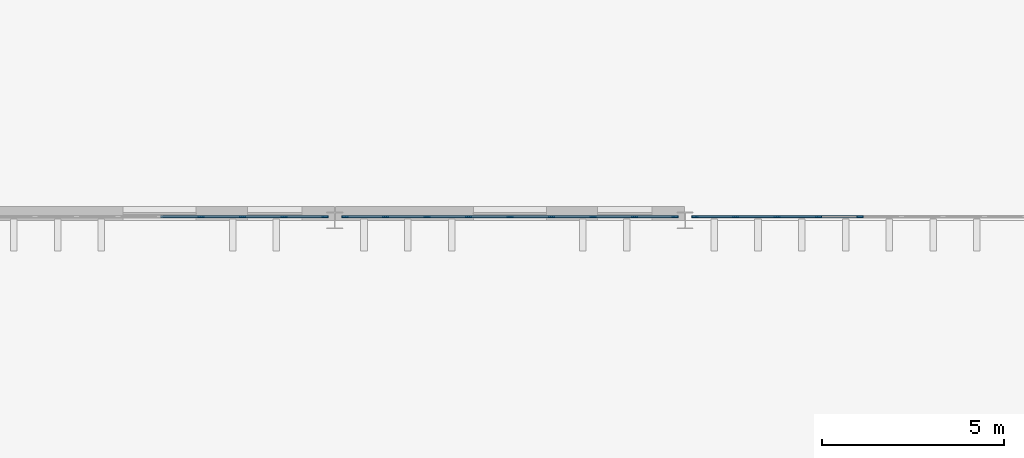
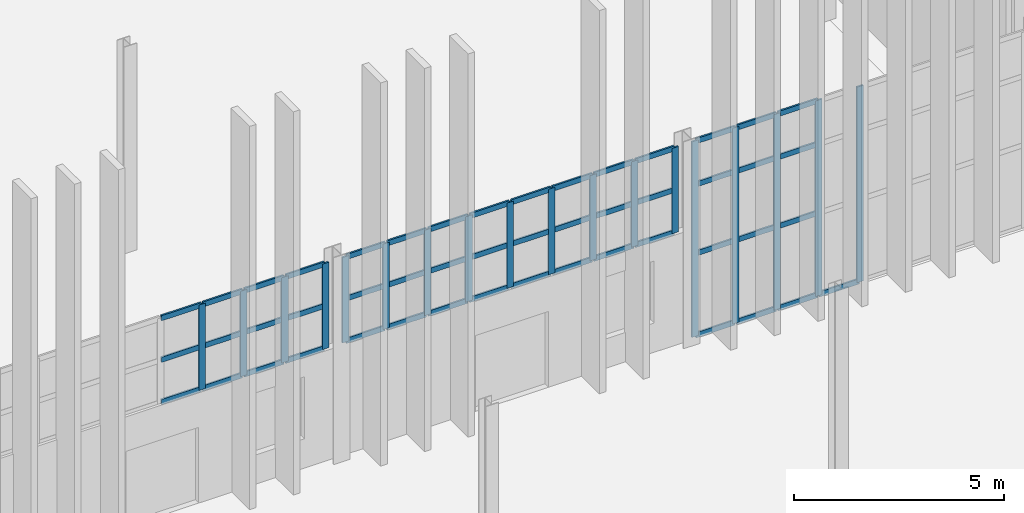
# One storey, part 35 of 139: 67 members, 3 elements without a shape of their own.
"""IFC4 building model written with IfcOpenShell, lengths in metres."""

from ifc_helpers import new_model, si_unit, direction, frame, origin, origin_2d, place, context, subcontext, project, spatial, rectangle, extrude, material, layer, layer_set, material_profile, profile_set, type_object, element, aggregate, save


model = new_model("IFC4")

# Units and contexts
model_context = context("Model", 3, precision=1e-05, world=origin(), true_north=direction((0.0, 1.0)))
body_context = subcontext(model_context, "Body", "Model", "MODEL_VIEW")
ifc_project = project(units=[si_unit("LENGTHUNIT", "METRE"), si_unit("AREAUNIT", "SQUARE_METRE"), si_unit("VOLUMEUNIT", "CUBIC_METRE"), si_unit("PLANEANGLEUNIT", "RADIAN"), si_unit("MASSUNIT", "GRAM", prefix="KILO")], contexts=[model_context])

# Site, building, storey
site_placement = place(None, origin())
site = spatial("IfcSite", under=ifc_project, at=site_placement, CompositionType="ELEMENT")
building_placement = place(site_placement, origin())
building = spatial("IfcBuilding", under=site, at=building_placement, Name="Yeouljin Market Hall", CompositionType="ELEMENT")
storey_placement = place(building_placement, origin())
storey = spatial("IfcBuildingStorey", under=building, at=storey_placement, Name="L00", CompositionType="ELEMENT", Elevation=0.0)

# Curtain wall, members
ifc_material_1 = material(Name="Thermally Broken Aluminium", Category="aluminium")
ifc_layer = layer(ifc_material_1, 0.179931640625)
ifc_layer_set = layer_set([ifc_layer], Name="Thermally Broken Aluminium")
curtain_wall_type = type_object("IfcCurtainWallType", Name="CW_HallNave_System", PredefinedType="USERDEFINED", material=ifc_layer_set)
curtain_wall_1_placement = place(storey_placement, origin())
curtain_wall_1 = element("IfcCurtainWall", 1, at=curtain_wall_1_placement, inside=storey, type_object=curtain_wall_type, Name="Curtain wall CW-V1S-L00-03", ObjectType="CURTAIN WALL", PredefinedType="USERDEFINED")
ifc_material_2 = material(Name="Thermally Broken Aluminium", Category="aluminium")
ifc_material_profile_1 = material_profile(ifc_material_2, rectangle(XDim=0.048095703125, YDim=0.179931640625, at=origin_2d()), Name="CW-MULL-48x180")
ifc_profile_set_1 = profile_set([ifc_material_profile_1], Name="Thermally Broken Aluminium")
member_type_1 = type_object("IfcMemberType", Name="CWMullion_48x180", PredefinedType="MULLION", material=ifc_profile_set_1)
member_1_placement = place(storey_placement, frame((63.926025390625, 36.10009765625, 3.199951171875), z_axis=(0.0, 0.0, 1.0), x_axis=(0.0, -1.0, 0.0)))
member_1 = element("IfcMember", 2, at=member_1_placement, type_object=member_type_1, Name="CW-01 mullion 1", PredefinedType="MULLION", context=body_context, shape_type="SweptSolid", body=[
    extrude(rectangle(XDim=0.048095703125, YDim=0.179931640625, at=origin_2d()), origin(), (0.0, 0.0, 1.0), 2.47998046875),
])
member_2_placement = place(storey_placement, frame((62.8125, 36.10009765625, 3.199951171875), z_axis=(0.0, 0.0, 1.0), x_axis=(0.0, -1.0, 0.0)))
member_2 = element("IfcMember", 3, at=member_2_placement, type_object=member_type_1, Name="CW-01 mullion 2", PredefinedType="MULLION", context=body_context, shape_type="SweptSolid", body=[
    extrude(rectangle(XDim=0.048095703125, YDim=0.179931640625, at=origin_2d()), origin(), (0.0, 0.0, 1.0), 2.47998046875),
])
member_3_placement = place(storey_placement, frame((61.675048828125, 36.10009765625, 3.199951171875), z_axis=(0.0, 0.0, 1.0), x_axis=(0.0, -1.0, 0.0)))
member_3 = element("IfcMember", 4, at=member_3_placement, type_object=member_type_1, Name="CW-01 mullion 3", PredefinedType="MULLION", context=body_context, shape_type="SweptSolid", body=[
    extrude(rectangle(XDim=0.048095703125, YDim=0.179931640625, at=origin_2d()), origin(), (0.0, 0.0, 1.0), 2.47998046875),
])
member_4_placement = place(storey_placement, frame((60.53759765625, 36.10009765625, 3.199951171875), z_axis=(0.0, 0.0, 1.0), x_axis=(0.0, -1.0, 0.0)))
member_4 = element("IfcMember", 5, at=member_4_placement, type_object=member_type_1, Name="CW-01 mullion 4", PredefinedType="MULLION", context=body_context, shape_type="SweptSolid", body=[
    extrude(rectangle(XDim=0.048095703125, YDim=0.179931640625, at=origin_2d()), origin(), (0.0, 0.0, 1.0), 2.47998046875),
])

curtain_wall_2_placement = place(storey_placement, origin())
curtain_wall_2 = element("IfcCurtainWall", 6, at=curtain_wall_2_placement, inside=storey, type_object=curtain_wall_type, Name="Curtain wall CW-V1S-L00-04", ObjectType="CURTAIN WALL", PredefinedType="USERDEFINED")
member_5_placement = place(storey_placement, frame((73.52587890625, 36.10009765625, 3.199951171875), z_axis=(0.0, 0.0, 1.0), x_axis=(0.0, -1.0, 0.0)))
member_5 = element("IfcMember", 7, at=member_5_placement, type_object=member_type_1, Name="CW-01 mullion 1", PredefinedType="MULLION", context=body_context, shape_type="SweptSolid", body=[
    extrude(rectangle(XDim=0.048095703125, YDim=0.179931640625, at=origin_2d()), origin(), (0.0, 0.0, 1.0), 2.47998046875),
])
member_6_placement = place(storey_placement, frame((72.41259765625, 36.10009765625, 3.199951171875), z_axis=(0.0, 0.0, 1.0), x_axis=(0.0, -1.0, 0.0)))
member_6 = element("IfcMember", 8, at=member_6_placement, type_object=member_type_1, Name="CW-01 mullion 2", PredefinedType="MULLION", context=body_context, shape_type="SweptSolid", body=[
    extrude(rectangle(XDim=0.048095703125, YDim=0.179931640625, at=origin_2d()), origin(), (0.0, 0.0, 1.0), 2.47998046875),
])
member_7_placement = place(storey_placement, frame((71.27490234375, 36.10009765625, 3.199951171875), z_axis=(0.0, 0.0, 1.0), x_axis=(0.0, -1.0, 0.0)))
member_7 = element("IfcMember", 9, at=member_7_placement, type_object=member_type_1, Name="CW-01 mullion 3", PredefinedType="MULLION", context=body_context, shape_type="SweptSolid", body=[
    extrude(rectangle(XDim=0.048095703125, YDim=0.179931640625, at=origin_2d()), origin(), (0.0, 0.0, 1.0), 2.47998046875),
])
member_8_placement = place(storey_placement, frame((70.137451171875, 36.10009765625, 3.199951171875), z_axis=(0.0, 0.0, 1.0), x_axis=(0.0, -1.0, 0.0)))
member_8 = element("IfcMember", 10, at=member_8_placement, type_object=member_type_1, Name="CW-01 mullion 4", PredefinedType="MULLION", context=body_context, shape_type="SweptSolid", body=[
    extrude(rectangle(XDim=0.048095703125, YDim=0.179931640625, at=origin_2d()), origin(), (0.0, 0.0, 1.0), 2.47998046875),
])
member_9_placement = place(storey_placement, frame((69.0, 36.10009765625, 3.199951171875), z_axis=(0.0, 0.0, 1.0), x_axis=(0.0, -1.0, 0.0)))
member_9 = element("IfcMember", 11, at=member_9_placement, type_object=member_type_1, Name="CW-01 mullion 5", PredefinedType="MULLION", context=body_context, shape_type="SweptSolid", body=[
    extrude(rectangle(XDim=0.048095703125, YDim=0.179931640625, at=origin_2d()), origin(), (0.0, 0.0, 1.0), 2.47998046875),
])
member_10_placement = place(storey_placement, frame((67.862548828125, 36.10009765625, 3.199951171875), z_axis=(0.0, 0.0, 1.0), x_axis=(0.0, -1.0, 0.0)))
member_10 = element("IfcMember", 12, at=member_10_placement, type_object=member_type_1, Name="CW-01 mullion 6", PredefinedType="MULLION", context=body_context, shape_type="SweptSolid", body=[
    extrude(rectangle(XDim=0.048095703125, YDim=0.179931640625, at=origin_2d()), origin(), (0.0, 0.0, 1.0), 2.47998046875),
])
member_11_placement = place(storey_placement, frame((66.72509765625, 36.10009765625, 3.199951171875), z_axis=(0.0, 0.0, 1.0), x_axis=(0.0, -1.0, 0.0)))
member_11 = element("IfcMember", 13, at=member_11_placement, type_object=member_type_1, Name="CW-01 mullion 7", PredefinedType="MULLION", context=body_context, shape_type="SweptSolid", body=[
    extrude(rectangle(XDim=0.048095703125, YDim=0.179931640625, at=origin_2d()), origin(), (0.0, 0.0, 1.0), 2.47998046875),
])
member_12_placement = place(storey_placement, frame((65.58740234375, 36.10009765625, 3.199951171875), z_axis=(0.0, 0.0, 1.0), x_axis=(0.0, -1.0, 0.0)))
member_12 = element("IfcMember", 14, at=member_12_placement, type_object=member_type_1, Name="CW-01 mullion 8", PredefinedType="MULLION", context=body_context, shape_type="SweptSolid", body=[
    extrude(rectangle(XDim=0.048095703125, YDim=0.179931640625, at=origin_2d()), origin(), (0.0, 0.0, 1.0), 2.47998046875),
])
member_13_placement = place(storey_placement, frame((64.47412109375, 36.10009765625, 3.199951171875), z_axis=(0.0, 0.0, 1.0), x_axis=(0.0, -1.0, 0.0)))
member_13 = element("IfcMember", 15, at=member_13_placement, type_object=member_type_1, Name="CW-01 mullion 9", PredefinedType="MULLION", context=body_context, shape_type="SweptSolid", body=[
    extrude(rectangle(XDim=0.048095703125, YDim=0.179931640625, at=origin_2d()), origin(), (0.0, 0.0, 1.0), 2.47998046875),
])

curtain_wall_3_placement = place(storey_placement, origin())
curtain_wall_3 = element("IfcCurtainWall", 16, at=curtain_wall_3_placement, inside=storey, type_object=curtain_wall_type, Name="Curtain wall CW-V1S-L00-05", ObjectType="CURTAIN WALL", PredefinedType="USERDEFINED")
member_14_placement = place(storey_placement, frame((78.60009765625, 36.10009765625, 0.0), z_axis=(0.0, 0.0, 1.0), x_axis=(0.0, -1.0, 0.0)))
member_14 = element("IfcMember", 17, at=member_14_placement, type_object=member_type_1, Name="CW-01 mullion 5", PredefinedType="MULLION", context=body_context, shape_type="SweptSolid", body=[
    extrude(rectangle(XDim=0.048095703125, YDim=0.179931640625, at=origin_2d()), origin(), (0.0, 0.0, 1.0), 5.679931640625),
])
member_15_placement = place(storey_placement, frame((77.46240234375, 36.10009765625, 0.0), z_axis=(0.0, 0.0, 1.0), x_axis=(0.0, -1.0, 0.0)))
member_15 = element("IfcMember", 18, at=member_15_placement, type_object=member_type_1, Name="CW-01 mullion 6", PredefinedType="MULLION", context=body_context, shape_type="SweptSolid", body=[
    extrude(rectangle(XDim=0.048095703125, YDim=0.179931640625, at=origin_2d()), origin(), (0.0, 0.0, 1.0), 5.679931640625),
])
member_16_placement = place(storey_placement, frame((76.324951171875, 36.10009765625, 0.0), z_axis=(0.0, 0.0, 1.0), x_axis=(0.0, -1.0, 0.0)))
member_16 = element("IfcMember", 19, at=member_16_placement, type_object=member_type_1, Name="CW-01 mullion 7", PredefinedType="MULLION", context=body_context, shape_type="SweptSolid", body=[
    extrude(rectangle(XDim=0.048095703125, YDim=0.179931640625, at=origin_2d()), origin(), (0.0, 0.0, 1.0), 5.679931640625),
])
member_17_placement = place(storey_placement, frame((75.1875, 36.10009765625, 0.0), z_axis=(0.0, 0.0, 1.0), x_axis=(0.0, -1.0, 0.0)))
member_17 = element("IfcMember", 20, at=member_17_placement, type_object=member_type_1, Name="CW-01 mullion 8", PredefinedType="MULLION", context=body_context, shape_type="SweptSolid", body=[
    extrude(rectangle(XDim=0.048095703125, YDim=0.179931640625, at=origin_2d()), origin(), (0.0, 0.0, 1.0), 5.679931640625),
])
member_18_placement = place(storey_placement, frame((74.073974609375, 36.10009765625, 0.0), z_axis=(0.0, 0.0, 1.0), x_axis=(0.0, -1.0, 0.0)))
member_18 = element("IfcMember", 21, at=member_18_placement, type_object=member_type_1, Name="CW-01 mullion 9", PredefinedType="MULLION", context=body_context, shape_type="SweptSolid", body=[
    extrude(rectangle(XDim=0.048095703125, YDim=0.179931640625, at=origin_2d()), origin(), (0.0, 0.0, 1.0), 5.679931640625),
])

# Member
ifc_material_3 = material(Name="Thermally Broken Aluminium", Category="aluminium")
ifc_material_profile_2 = material_profile(ifc_material_3, rectangle(XDim=0.048095703125, YDim=0.14990234375, at=origin_2d()), Name="CW-TRAN-48x150")
ifc_profile_set_2 = profile_set([ifc_material_profile_2], Name="Thermally Broken Aluminium")
member_type_2 = type_object("IfcMemberType", Name="CWTransom_48x150", PredefinedType="USERDEFINED", material=ifc_profile_set_2)
member_19_placement = place(storey_placement, frame((63.902099609375, 36.10009765625, 3.22412109375), z_axis=(-1.0, 0.0, 0.0), x_axis=(0.0, -1.0, 0.0)))
member_19 = element("IfcMember", 22, at=member_19_placement, type_object=member_type_2, Name="CW-01 transom 1.1", ObjectType="TRANSOM", PredefinedType="USERDEFINED", context=body_context, shape_type="SweptSolid", body=[
    extrude(rectangle(XDim=0.048095703125, YDim=0.14990234375, at=origin_2d()), origin(), (0.0, 0.0, 1.0), 1.065673828125),
])

member_20_placement = place(storey_placement, frame((63.902099609375, 36.10009765625, 4.449951171875), z_axis=(-1.0, 0.0, 0.0), x_axis=(0.0, -1.0, 0.0)))
member_20 = element("IfcMember", 23, at=member_20_placement, type_object=member_type_2, Name="CW-01 transom 1.2", ObjectType="TRANSOM", PredefinedType="USERDEFINED", context=body_context, shape_type="SweptSolid", body=[
    extrude(rectangle(XDim=0.048095703125, YDim=0.14990234375, at=origin_2d()), origin(), (0.0, 0.0, 1.0), 1.065673828125),
])

member_21_placement = place(storey_placement, frame((63.902099609375, 36.10009765625, 5.656005859375), z_axis=(-1.0, 0.0, 0.0), x_axis=(0.0, -1.0, 0.0)))
member_21 = element("IfcMember", 24, at=member_21_placement, type_object=member_type_2, Name="CW-01 transom 1.3", ObjectType="TRANSOM", PredefinedType="USERDEFINED", context=body_context, shape_type="SweptSolid", body=[
    extrude(rectangle(XDim=0.048095703125, YDim=0.14990234375, at=origin_2d()), origin(), (0.0, 0.0, 1.0), 1.065673828125),
])

member_22_placement = place(storey_placement, frame((62.78857421875, 36.10009765625, 3.22412109375), z_axis=(-1.0, 0.0, 0.0), x_axis=(0.0, -1.0, 0.0)))
member_22 = element("IfcMember", 25, at=member_22_placement, type_object=member_type_2, Name="CW-01 transom 2.1", ObjectType="TRANSOM", PredefinedType="USERDEFINED", context=body_context, shape_type="SweptSolid", body=[
    extrude(rectangle(XDim=0.048095703125, YDim=0.14990234375, at=origin_2d()), origin(), (0.0, 0.0, 1.0), 1.089599609375),
])

member_23_placement = place(storey_placement, frame((62.78857421875, 36.10009765625, 4.449951171875), z_axis=(-1.0, 0.0, 0.0), x_axis=(0.0, -1.0, 0.0)))
member_23 = element("IfcMember", 26, at=member_23_placement, type_object=member_type_2, Name="CW-01 transom 2.2", ObjectType="TRANSOM", PredefinedType="USERDEFINED", context=body_context, shape_type="SweptSolid", body=[
    extrude(rectangle(XDim=0.048095703125, YDim=0.14990234375, at=origin_2d()), origin(), (0.0, 0.0, 1.0), 1.089599609375),
])

member_24_placement = place(storey_placement, frame((62.78857421875, 36.10009765625, 5.656005859375), z_axis=(-1.0, 0.0, 0.0), x_axis=(0.0, -1.0, 0.0)))
member_24 = element("IfcMember", 27, at=member_24_placement, type_object=member_type_2, Name="CW-01 transom 2.3", ObjectType="TRANSOM", PredefinedType="USERDEFINED", context=body_context, shape_type="SweptSolid", body=[
    extrude(rectangle(XDim=0.048095703125, YDim=0.14990234375, at=origin_2d()), origin(), (0.0, 0.0, 1.0), 1.089599609375),
])

member_25_placement = place(storey_placement, frame((61.65087890625, 36.10009765625, 3.22412109375), z_axis=(-1.0, 0.0, 0.0), x_axis=(0.0, -1.0, 0.0)))
member_25 = element("IfcMember", 28, at=member_25_placement, type_object=member_type_2, Name="CW-01 transom 3.1", ObjectType="TRANSOM", PredefinedType="USERDEFINED", context=body_context, shape_type="SweptSolid", body=[
    extrude(rectangle(XDim=0.048095703125, YDim=0.14990234375, at=origin_2d()), origin(), (0.0, 0.0, 1.0), 1.08935546875),
])

member_26_placement = place(storey_placement, frame((61.65087890625, 36.10009765625, 4.449951171875), z_axis=(-1.0, 0.0, 0.0), x_axis=(0.0, -1.0, 0.0)))
member_26 = element("IfcMember", 29, at=member_26_placement, type_object=member_type_2, Name="CW-01 transom 3.2", ObjectType="TRANSOM", PredefinedType="USERDEFINED", context=body_context, shape_type="SweptSolid", body=[
    extrude(rectangle(XDim=0.048095703125, YDim=0.14990234375, at=origin_2d()), origin(), (0.0, 0.0, 1.0), 1.08935546875),
])

member_27_placement = place(storey_placement, frame((61.65087890625, 36.10009765625, 5.656005859375), z_axis=(-1.0, 0.0, 0.0), x_axis=(0.0, -1.0, 0.0)))
member_27 = element("IfcMember", 30, at=member_27_placement, type_object=member_type_2, Name="CW-01 transom 3.3", ObjectType="TRANSOM", PredefinedType="USERDEFINED", context=body_context, shape_type="SweptSolid", body=[
    extrude(rectangle(XDim=0.048095703125, YDim=0.14990234375, at=origin_2d()), origin(), (0.0, 0.0, 1.0), 1.08935546875),
])

member_28_placement = place(storey_placement, frame((60.513427734375, 36.10009765625, 3.22412109375), z_axis=(-1.0, 0.0, 0.0), x_axis=(0.0, -1.0, 0.0)))
member_28 = element("IfcMember", 31, at=member_28_placement, type_object=member_type_2, Name="CW-01 transom 4.1", ObjectType="TRANSOM", PredefinedType="USERDEFINED", context=body_context, shape_type="SweptSolid", body=[
    extrude(rectangle(XDim=0.048095703125, YDim=0.14990234375, at=origin_2d()), origin(), (0.0, 0.0, 1.0), 1.08935546875),
])

member_29_placement = place(storey_placement, frame((60.513427734375, 36.10009765625, 4.449951171875), z_axis=(-1.0, 0.0, 0.0), x_axis=(0.0, -1.0, 0.0)))
member_29 = element("IfcMember", 32, at=member_29_placement, type_object=member_type_2, Name="CW-01 transom 4.2", ObjectType="TRANSOM", PredefinedType="USERDEFINED", context=body_context, shape_type="SweptSolid", body=[
    extrude(rectangle(XDim=0.048095703125, YDim=0.14990234375, at=origin_2d()), origin(), (0.0, 0.0, 1.0), 1.08935546875),
])

member_30_placement = place(storey_placement, frame((60.513427734375, 36.10009765625, 5.656005859375), z_axis=(-1.0, 0.0, 0.0), x_axis=(0.0, -1.0, 0.0)))
member_30 = element("IfcMember", 33, at=member_30_placement, type_object=member_type_2, Name="CW-01 transom 4.3", ObjectType="TRANSOM", PredefinedType="USERDEFINED", context=body_context, shape_type="SweptSolid", body=[
    extrude(rectangle(XDim=0.048095703125, YDim=0.14990234375, at=origin_2d()), origin(), (0.0, 0.0, 1.0), 1.08935546875),
])

aggregate(curtain_wall_1, [member_1, member_2, member_3, member_4, member_19, member_20, member_21, member_22, member_23, member_24, member_25, member_26, member_27, member_28, member_29, member_30])

member_31_placement = place(storey_placement, frame((73.501953125, 36.10009765625, 3.22412109375), z_axis=(-1.0, 0.0, 0.0), x_axis=(0.0, -1.0, 0.0)))
member_31 = element("IfcMember", 34, at=member_31_placement, type_object=member_type_2, Name="CW-01 transom 1.1", ObjectType="TRANSOM", PredefinedType="USERDEFINED", context=body_context, shape_type="SweptSolid", body=[
    extrude(rectangle(XDim=0.048095703125, YDim=0.14990234375, at=origin_2d()), origin(), (0.0, 0.0, 1.0), 1.0654296875),
])

member_32_placement = place(storey_placement, frame((73.501953125, 36.10009765625, 4.449951171875), z_axis=(-1.0, 0.0, 0.0), x_axis=(0.0, -1.0, 0.0)))
member_32 = element("IfcMember", 35, at=member_32_placement, type_object=member_type_2, Name="CW-01 transom 1.2", ObjectType="TRANSOM", PredefinedType="USERDEFINED", context=body_context, shape_type="SweptSolid", body=[
    extrude(rectangle(XDim=0.048095703125, YDim=0.14990234375, at=origin_2d()), origin(), (0.0, 0.0, 1.0), 1.0654296875),
])

member_33_placement = place(storey_placement, frame((73.501953125, 36.10009765625, 5.656005859375), z_axis=(-1.0, 0.0, 0.0), x_axis=(0.0, -1.0, 0.0)))
member_33 = element("IfcMember", 36, at=member_33_placement, type_object=member_type_2, Name="CW-01 transom 1.3", ObjectType="TRANSOM", PredefinedType="USERDEFINED", context=body_context, shape_type="SweptSolid", body=[
    extrude(rectangle(XDim=0.048095703125, YDim=0.14990234375, at=origin_2d()), origin(), (0.0, 0.0, 1.0), 1.0654296875),
])

member_34_placement = place(storey_placement, frame((72.388427734375, 36.10009765625, 3.22412109375), z_axis=(-1.0, 0.0, 0.0), x_axis=(0.0, -1.0, 0.0)))
member_34 = element("IfcMember", 37, at=member_34_placement, type_object=member_type_2, Name="CW-01 transom 2.1", ObjectType="TRANSOM", PredefinedType="USERDEFINED", context=body_context, shape_type="SweptSolid", body=[
    extrude(rectangle(XDim=0.048095703125, YDim=0.14990234375, at=origin_2d()), origin(), (0.0, 0.0, 1.0), 1.08935546875),
])

member_35_placement = place(storey_placement, frame((72.388427734375, 36.10009765625, 4.449951171875), z_axis=(-1.0, 0.0, 0.0), x_axis=(0.0, -1.0, 0.0)))
member_35 = element("IfcMember", 38, at=member_35_placement, type_object=member_type_2, Name="CW-01 transom 2.2", ObjectType="TRANSOM", PredefinedType="USERDEFINED", context=body_context, shape_type="SweptSolid", body=[
    extrude(rectangle(XDim=0.048095703125, YDim=0.14990234375, at=origin_2d()), origin(), (0.0, 0.0, 1.0), 1.08935546875),
])

member_36_placement = place(storey_placement, frame((72.388427734375, 36.10009765625, 5.656005859375), z_axis=(-1.0, 0.0, 0.0), x_axis=(0.0, -1.0, 0.0)))
member_36 = element("IfcMember", 39, at=member_36_placement, type_object=member_type_2, Name="CW-01 transom 2.3", ObjectType="TRANSOM", PredefinedType="USERDEFINED", context=body_context, shape_type="SweptSolid", body=[
    extrude(rectangle(XDim=0.048095703125, YDim=0.14990234375, at=origin_2d()), origin(), (0.0, 0.0, 1.0), 1.08935546875),
])

member_37_placement = place(storey_placement, frame((71.2509765625, 36.10009765625, 3.22412109375), z_axis=(-1.0, 0.0, 0.0), x_axis=(0.0, -1.0, 0.0)))
member_37 = element("IfcMember", 40, at=member_37_placement, type_object=member_type_2, Name="CW-01 transom 3.1", ObjectType="TRANSOM", PredefinedType="USERDEFINED", context=body_context, shape_type="SweptSolid", body=[
    extrude(rectangle(XDim=0.048095703125, YDim=0.14990234375, at=origin_2d()), origin(), (0.0, 0.0, 1.0), 1.08935546875),
])

member_38_placement = place(storey_placement, frame((71.2509765625, 36.10009765625, 4.449951171875), z_axis=(-1.0, 0.0, 0.0), x_axis=(0.0, -1.0, 0.0)))
member_38 = element("IfcMember", 41, at=member_38_placement, type_object=member_type_2, Name="CW-01 transom 3.2", ObjectType="TRANSOM", PredefinedType="USERDEFINED", context=body_context, shape_type="SweptSolid", body=[
    extrude(rectangle(XDim=0.048095703125, YDim=0.14990234375, at=origin_2d()), origin(), (0.0, 0.0, 1.0), 1.08935546875),
])

member_39_placement = place(storey_placement, frame((71.2509765625, 36.10009765625, 5.656005859375), z_axis=(-1.0, 0.0, 0.0), x_axis=(0.0, -1.0, 0.0)))
member_39 = element("IfcMember", 42, at=member_39_placement, type_object=member_type_2, Name="CW-01 transom 3.3", ObjectType="TRANSOM", PredefinedType="USERDEFINED", context=body_context, shape_type="SweptSolid", body=[
    extrude(rectangle(XDim=0.048095703125, YDim=0.14990234375, at=origin_2d()), origin(), (0.0, 0.0, 1.0), 1.08935546875),
])

member_40_placement = place(storey_placement, frame((70.113525390625, 36.10009765625, 3.22412109375), z_axis=(-1.0, 0.0, 0.0), x_axis=(0.0, -1.0, 0.0)))
member_40 = element("IfcMember", 43, at=member_40_placement, type_object=member_type_2, Name="CW-01 transom 4.1", ObjectType="TRANSOM", PredefinedType="USERDEFINED", context=body_context, shape_type="SweptSolid", body=[
    extrude(rectangle(XDim=0.048095703125, YDim=0.14990234375, at=origin_2d()), origin(), (0.0, 0.0, 1.0), 1.089599609375),
])

member_41_placement = place(storey_placement, frame((70.113525390625, 36.10009765625, 4.449951171875), z_axis=(-1.0, 0.0, 0.0), x_axis=(0.0, -1.0, 0.0)))
member_41 = element("IfcMember", 44, at=member_41_placement, type_object=member_type_2, Name="CW-01 transom 4.2", ObjectType="TRANSOM", PredefinedType="USERDEFINED", context=body_context, shape_type="SweptSolid", body=[
    extrude(rectangle(XDim=0.048095703125, YDim=0.14990234375, at=origin_2d()), origin(), (0.0, 0.0, 1.0), 1.089599609375),
])

member_42_placement = place(storey_placement, frame((70.113525390625, 36.10009765625, 5.656005859375), z_axis=(-1.0, 0.0, 0.0), x_axis=(0.0, -1.0, 0.0)))
member_42 = element("IfcMember", 45, at=member_42_placement, type_object=member_type_2, Name="CW-01 transom 4.3", ObjectType="TRANSOM", PredefinedType="USERDEFINED", context=body_context, shape_type="SweptSolid", body=[
    extrude(rectangle(XDim=0.048095703125, YDim=0.14990234375, at=origin_2d()), origin(), (0.0, 0.0, 1.0), 1.089599609375),
])

member_43_placement = place(storey_placement, frame((68.97607421875, 36.10009765625, 3.22412109375), z_axis=(-1.0, 0.0, 0.0), x_axis=(0.0, -1.0, 0.0)))
member_43 = element("IfcMember", 46, at=member_43_placement, type_object=member_type_2, Name="CW-01 transom 5.1", ObjectType="TRANSOM", PredefinedType="USERDEFINED", context=body_context, shape_type="SweptSolid", body=[
    extrude(rectangle(XDim=0.048095703125, YDim=0.14990234375, at=origin_2d()), origin(), (0.0, 0.0, 1.0), 1.089599609375),
])

member_44_placement = place(storey_placement, frame((68.97607421875, 36.10009765625, 4.449951171875), z_axis=(-1.0, 0.0, 0.0), x_axis=(0.0, -1.0, 0.0)))
member_44 = element("IfcMember", 47, at=member_44_placement, type_object=member_type_2, Name="CW-01 transom 5.2", ObjectType="TRANSOM", PredefinedType="USERDEFINED", context=body_context, shape_type="SweptSolid", body=[
    extrude(rectangle(XDim=0.048095703125, YDim=0.14990234375, at=origin_2d()), origin(), (0.0, 0.0, 1.0), 1.089599609375),
])

member_45_placement = place(storey_placement, frame((68.97607421875, 36.10009765625, 5.656005859375), z_axis=(-1.0, 0.0, 0.0), x_axis=(0.0, -1.0, 0.0)))
member_45 = element("IfcMember", 48, at=member_45_placement, type_object=member_type_2, Name="CW-01 transom 5.3", ObjectType="TRANSOM", PredefinedType="USERDEFINED", context=body_context, shape_type="SweptSolid", body=[
    extrude(rectangle(XDim=0.048095703125, YDim=0.14990234375, at=origin_2d()), origin(), (0.0, 0.0, 1.0), 1.089599609375),
])

member_46_placement = place(storey_placement, frame((67.83837890625, 36.10009765625, 3.22412109375), z_axis=(-1.0, 0.0, 0.0), x_axis=(0.0, -1.0, 0.0)))
member_46 = element("IfcMember", 49, at=member_46_placement, type_object=member_type_2, Name="CW-01 transom 6.1", ObjectType="TRANSOM", PredefinedType="USERDEFINED", context=body_context, shape_type="SweptSolid", body=[
    extrude(rectangle(XDim=0.048095703125, YDim=0.14990234375, at=origin_2d()), origin(), (0.0, 0.0, 1.0), 1.08935546875),
])

member_47_placement = place(storey_placement, frame((67.83837890625, 36.10009765625, 4.449951171875), z_axis=(-1.0, 0.0, 0.0), x_axis=(0.0, -1.0, 0.0)))
member_47 = element("IfcMember", 50, at=member_47_placement, type_object=member_type_2, Name="CW-01 transom 6.2", ObjectType="TRANSOM", PredefinedType="USERDEFINED", context=body_context, shape_type="SweptSolid", body=[
    extrude(rectangle(XDim=0.048095703125, YDim=0.14990234375, at=origin_2d()), origin(), (0.0, 0.0, 1.0), 1.08935546875),
])

member_48_placement = place(storey_placement, frame((67.83837890625, 36.10009765625, 5.656005859375), z_axis=(-1.0, 0.0, 0.0), x_axis=(0.0, -1.0, 0.0)))
member_48 = element("IfcMember", 51, at=member_48_placement, type_object=member_type_2, Name="CW-01 transom 6.3", ObjectType="TRANSOM", PredefinedType="USERDEFINED", context=body_context, shape_type="SweptSolid", body=[
    extrude(rectangle(XDim=0.048095703125, YDim=0.14990234375, at=origin_2d()), origin(), (0.0, 0.0, 1.0), 1.08935546875),
])

member_49_placement = place(storey_placement, frame((66.700927734375, 36.10009765625, 3.22412109375), z_axis=(-1.0, 0.0, 0.0), x_axis=(0.0, -1.0, 0.0)))
member_49 = element("IfcMember", 52, at=member_49_placement, type_object=member_type_2, Name="CW-01 transom 7.1", ObjectType="TRANSOM", PredefinedType="USERDEFINED", context=body_context, shape_type="SweptSolid", body=[
    extrude(rectangle(XDim=0.048095703125, YDim=0.14990234375, at=origin_2d()), origin(), (0.0, 0.0, 1.0), 1.08935546875),
])

member_50_placement = place(storey_placement, frame((66.700927734375, 36.10009765625, 4.449951171875), z_axis=(-1.0, 0.0, 0.0), x_axis=(0.0, -1.0, 0.0)))
member_50 = element("IfcMember", 53, at=member_50_placement, type_object=member_type_2, Name="CW-01 transom 7.2", ObjectType="TRANSOM", PredefinedType="USERDEFINED", context=body_context, shape_type="SweptSolid", body=[
    extrude(rectangle(XDim=0.048095703125, YDim=0.14990234375, at=origin_2d()), origin(), (0.0, 0.0, 1.0), 1.08935546875),
])

member_51_placement = place(storey_placement, frame((66.700927734375, 36.10009765625, 5.656005859375), z_axis=(-1.0, 0.0, 0.0), x_axis=(0.0, -1.0, 0.0)))
member_51 = element("IfcMember", 54, at=member_51_placement, type_object=member_type_2, Name="CW-01 transom 7.3", ObjectType="TRANSOM", PredefinedType="USERDEFINED", context=body_context, shape_type="SweptSolid", body=[
    extrude(rectangle(XDim=0.048095703125, YDim=0.14990234375, at=origin_2d()), origin(), (0.0, 0.0, 1.0), 1.08935546875),
])

member_52_placement = place(storey_placement, frame((65.5634765625, 36.10009765625, 3.22412109375), z_axis=(-1.0, 0.0, 0.0), x_axis=(0.0, -1.0, 0.0)))
member_52 = element("IfcMember", 55, at=member_52_placement, type_object=member_type_2, Name="CW-01 transom 8.1", ObjectType="TRANSOM", PredefinedType="USERDEFINED", context=body_context, shape_type="SweptSolid", body=[
    extrude(rectangle(XDim=0.048095703125, YDim=0.14990234375, at=origin_2d()), origin(), (0.0, 0.0, 1.0), 1.0654296875),
])

member_53_placement = place(storey_placement, frame((65.5634765625, 36.10009765625, 4.449951171875), z_axis=(-1.0, 0.0, 0.0), x_axis=(0.0, -1.0, 0.0)))
member_53 = element("IfcMember", 56, at=member_53_placement, type_object=member_type_2, Name="CW-01 transom 8.2", ObjectType="TRANSOM", PredefinedType="USERDEFINED", context=body_context, shape_type="SweptSolid", body=[
    extrude(rectangle(XDim=0.048095703125, YDim=0.14990234375, at=origin_2d()), origin(), (0.0, 0.0, 1.0), 1.0654296875),
])

member_54_placement = place(storey_placement, frame((65.5634765625, 36.10009765625, 5.656005859375), z_axis=(-1.0, 0.0, 0.0), x_axis=(0.0, -1.0, 0.0)))
member_54 = element("IfcMember", 57, at=member_54_placement, type_object=member_type_2, Name="CW-01 transom 8.3", ObjectType="TRANSOM", PredefinedType="USERDEFINED", context=body_context, shape_type="SweptSolid", body=[
    extrude(rectangle(XDim=0.048095703125, YDim=0.14990234375, at=origin_2d()), origin(), (0.0, 0.0, 1.0), 1.0654296875),
])

aggregate(curtain_wall_2, [member_5, member_6, member_7, member_8, member_9, member_10, member_11, member_12, member_13, member_31, member_32, member_33, member_34, member_35, member_36, member_37, member_38, member_39, member_40, member_41, member_42, member_43, member_44, member_45, member_46, member_47, member_48, member_49, member_50, member_51, member_52, member_53, member_54])

member_55_placement = place(storey_placement, frame((78.575927734375, 36.10009765625, 0.02392578125), z_axis=(-1.0, 0.0, 0.0), x_axis=(0.0, -1.0, 0.0)))
member_55 = element("IfcMember", 58, at=member_55_placement, type_object=member_type_2, Name="CW-01 transom 5.1", ObjectType="TRANSOM", PredefinedType="USERDEFINED", context=body_context, shape_type="SweptSolid", body=[
    extrude(rectangle(XDim=0.048095703125, YDim=0.14990234375, at=origin_2d()), origin(), (0.0, 0.0, 1.0), 1.08935546875),
])

member_56_placement = place(storey_placement, frame((77.4384765625, 36.10009765625, 0.02392578125), z_axis=(-1.0, 0.0, 0.0), x_axis=(0.0, -1.0, 0.0)))
member_56 = element("IfcMember", 59, at=member_56_placement, type_object=member_type_2, Name="CW-01 transom 6.1", ObjectType="TRANSOM", PredefinedType="USERDEFINED", context=body_context, shape_type="SweptSolid", body=[
    extrude(rectangle(XDim=0.048095703125, YDim=0.14990234375, at=origin_2d()), origin(), (0.0, 0.0, 1.0), 1.08935546875),
])

member_57_placement = place(storey_placement, frame((77.4384765625, 36.10009765625, 2.39990234375), z_axis=(-1.0, 0.0, 0.0), x_axis=(0.0, -1.0, 0.0)))
member_57 = element("IfcMember", 60, at=member_57_placement, type_object=member_type_2, Name="CW-01 transom 6.2", ObjectType="TRANSOM", PredefinedType="USERDEFINED", context=body_context, shape_type="SweptSolid", body=[
    extrude(rectangle(XDim=0.048095703125, YDim=0.14990234375, at=origin_2d()), origin(), (0.0, 0.0, 1.0), 1.08935546875),
])

member_58_placement = place(storey_placement, frame((77.4384765625, 36.10009765625, 4.39990234375), z_axis=(-1.0, 0.0, 0.0), x_axis=(0.0, -1.0, 0.0)))
member_58 = element("IfcMember", 61, at=member_58_placement, type_object=member_type_2, Name="CW-01 transom 6.3", ObjectType="TRANSOM", PredefinedType="USERDEFINED", context=body_context, shape_type="SweptSolid", body=[
    extrude(rectangle(XDim=0.048095703125, YDim=0.14990234375, at=origin_2d()), origin(), (0.0, 0.0, 1.0), 1.08935546875),
])

member_59_placement = place(storey_placement, frame((77.4384765625, 36.10009765625, 5.656005859375), z_axis=(-1.0, 0.0, 0.0), x_axis=(0.0, -1.0, 0.0)))
member_59 = element("IfcMember", 62, at=member_59_placement, type_object=member_type_2, Name="CW-01 transom 6.4", ObjectType="TRANSOM", PredefinedType="USERDEFINED", context=body_context, shape_type="SweptSolid", body=[
    extrude(rectangle(XDim=0.048095703125, YDim=0.14990234375, at=origin_2d()), origin(), (0.0, 0.0, 1.0), 1.08935546875),
])

member_60_placement = place(storey_placement, frame((76.301025390625, 36.10009765625, 0.02392578125), z_axis=(-1.0, 0.0, 0.0), x_axis=(0.0, -1.0, 0.0)))
member_60 = element("IfcMember", 63, at=member_60_placement, type_object=member_type_2, Name="CW-01 transom 7.1", ObjectType="TRANSOM", PredefinedType="USERDEFINED", context=body_context, shape_type="SweptSolid", body=[
    extrude(rectangle(XDim=0.048095703125, YDim=0.14990234375, at=origin_2d()), origin(), (0.0, 0.0, 1.0), 1.089599609375),
])

member_61_placement = place(storey_placement, frame((76.301025390625, 36.10009765625, 2.39990234375), z_axis=(-1.0, 0.0, 0.0), x_axis=(0.0, -1.0, 0.0)))
member_61 = element("IfcMember", 64, at=member_61_placement, type_object=member_type_2, Name="CW-01 transom 7.2", ObjectType="TRANSOM", PredefinedType="USERDEFINED", context=body_context, shape_type="SweptSolid", body=[
    extrude(rectangle(XDim=0.048095703125, YDim=0.14990234375, at=origin_2d()), origin(), (0.0, 0.0, 1.0), 1.089599609375),
])

member_62_placement = place(storey_placement, frame((76.301025390625, 36.10009765625, 4.39990234375), z_axis=(-1.0, 0.0, 0.0), x_axis=(0.0, -1.0, 0.0)))
member_62 = element("IfcMember", 65, at=member_62_placement, type_object=member_type_2, Name="CW-01 transom 7.3", ObjectType="TRANSOM", PredefinedType="USERDEFINED", context=body_context, shape_type="SweptSolid", body=[
    extrude(rectangle(XDim=0.048095703125, YDim=0.14990234375, at=origin_2d()), origin(), (0.0, 0.0, 1.0), 1.089599609375),
])

member_63_placement = place(storey_placement, frame((76.301025390625, 36.10009765625, 5.656005859375), z_axis=(-1.0, 0.0, 0.0), x_axis=(0.0, -1.0, 0.0)))
member_63 = element("IfcMember", 66, at=member_63_placement, type_object=member_type_2, Name="CW-01 transom 7.4", ObjectType="TRANSOM", PredefinedType="USERDEFINED", context=body_context, shape_type="SweptSolid", body=[
    extrude(rectangle(XDim=0.048095703125, YDim=0.14990234375, at=origin_2d()), origin(), (0.0, 0.0, 1.0), 1.089599609375),
])

member_64_placement = place(storey_placement, frame((75.16357421875, 36.10009765625, 0.02392578125), z_axis=(-1.0, 0.0, 0.0), x_axis=(0.0, -1.0, 0.0)))
member_64 = element("IfcMember", 67, at=member_64_placement, type_object=member_type_2, Name="CW-01 transom 8.1", ObjectType="TRANSOM", PredefinedType="USERDEFINED", context=body_context, shape_type="SweptSolid", body=[
    extrude(rectangle(XDim=0.048095703125, YDim=0.14990234375, at=origin_2d()), origin(), (0.0, 0.0, 1.0), 1.065673828125),
])

member_65_placement = place(storey_placement, frame((75.16357421875, 36.10009765625, 2.39990234375), z_axis=(-1.0, 0.0, 0.0), x_axis=(0.0, -1.0, 0.0)))
member_65 = element("IfcMember", 68, at=member_65_placement, type_object=member_type_2, Name="CW-01 transom 8.2", ObjectType="TRANSOM", PredefinedType="USERDEFINED", context=body_context, shape_type="SweptSolid", body=[
    extrude(rectangle(XDim=0.048095703125, YDim=0.14990234375, at=origin_2d()), origin(), (0.0, 0.0, 1.0), 1.065673828125),
])

member_66_placement = place(storey_placement, frame((75.16357421875, 36.10009765625, 4.39990234375), z_axis=(-1.0, 0.0, 0.0), x_axis=(0.0, -1.0, 0.0)))
member_66 = element("IfcMember", 69, at=member_66_placement, type_object=member_type_2, Name="CW-01 transom 8.3", ObjectType="TRANSOM", PredefinedType="USERDEFINED", context=body_context, shape_type="SweptSolid", body=[
    extrude(rectangle(XDim=0.048095703125, YDim=0.14990234375, at=origin_2d()), origin(), (0.0, 0.0, 1.0), 1.065673828125),
])

member_67_placement = place(storey_placement, frame((75.16357421875, 36.10009765625, 5.656005859375), z_axis=(-1.0, 0.0, 0.0), x_axis=(0.0, -1.0, 0.0)))
member_67 = element("IfcMember", 70, at=member_67_placement, type_object=member_type_2, Name="CW-01 transom 8.4", ObjectType="TRANSOM", PredefinedType="USERDEFINED", context=body_context, shape_type="SweptSolid", body=[
    extrude(rectangle(XDim=0.048095703125, YDim=0.14990234375, at=origin_2d()), origin(), (0.0, 0.0, 1.0), 1.065673828125),
])

aggregate(curtain_wall_3, [member_14, member_15, member_16, member_17, member_18, member_55, member_56, member_57, member_58, member_59, member_60, member_61, member_62, member_63, member_64, member_65, member_66, member_67])

save(model, "model.ifc")
